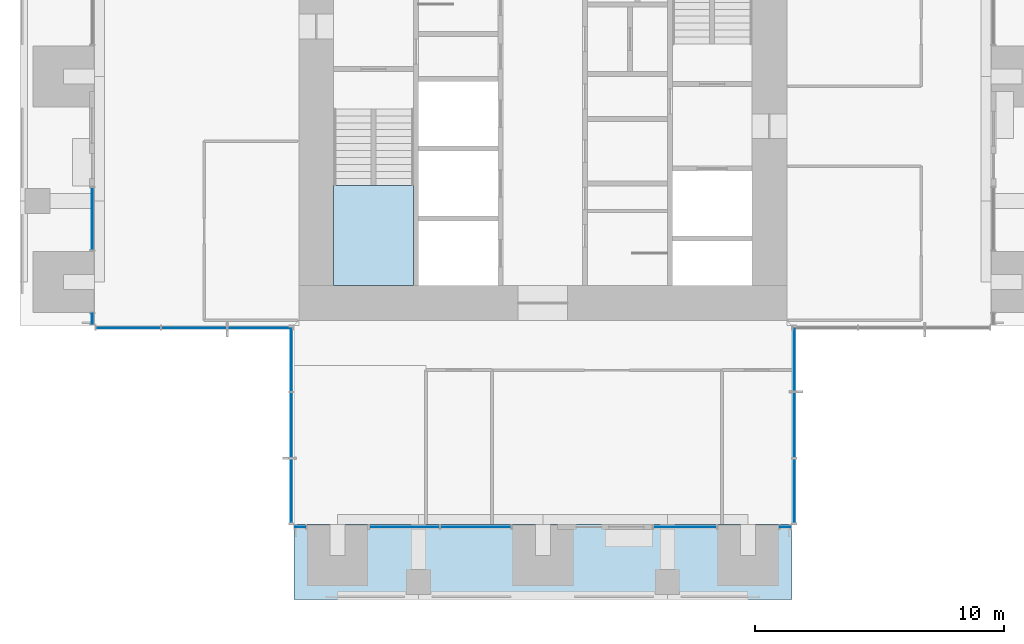
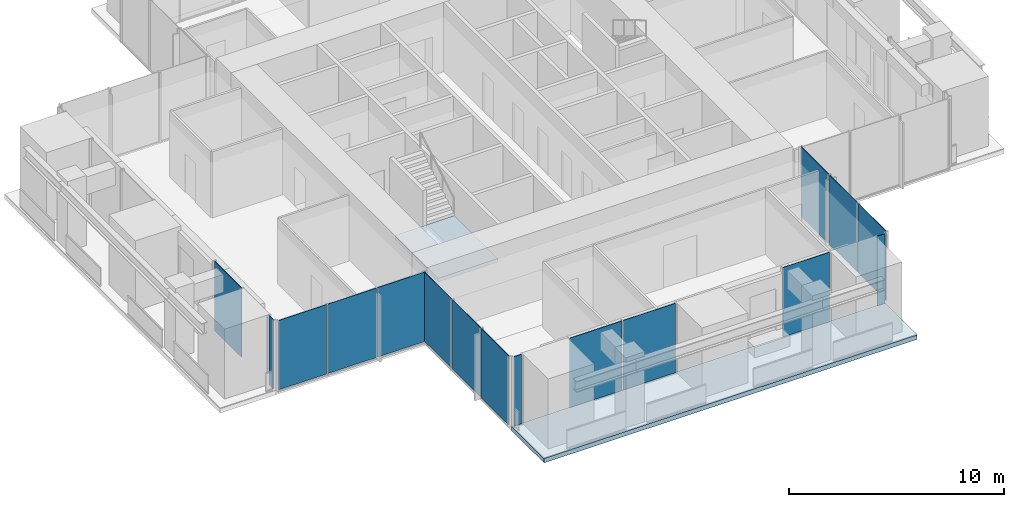
# One storey, part 7 of 17: 16 plates, 2 slabs, 10 elements without a shape of their own.
"""IFC4 building model written with IfcOpenShell, lengths in metres."""

import ifcopenshell
import ifcopenshell.guid

model = None  # the IFC model being written
_history = None  # IfcOwnerHistory: only IFC2X3 demands one
_inside = {}  # id of a spatial element -> (the spatial element, [elements in it])
_under = {}  # id of a project, library or spatial element -> (it, [spatial elements below it])
_declared = {}  # id of a project -> (the project, [libraries it declares])
_typed = {}  # id of a type object -> (the type object, [elements of that type])
_made_of = {}  # id of a material, layer set ... -> (it, [elements and type objects made of it])


def new_model(schema):
    """Start an empty IFC model of exactly this schema.

    Asked for "IFC4X3", IfcOpenShell would pick the latest addendum, in which some entities
    have other attributes; the version numbers below select the first issue.
    IFC2X3 requires an IfcOwnerHistory on every rooted entity: one is made here for all.
    """
    global model, _history
    if schema == "IFC4X3":
        model = ifcopenshell.file(schema_version=(4, 3, 0, 0))
    else:
        model = ifcopenshell.file(schema=schema)
    _inside.clear()
    _under.clear()
    _declared.clear()
    _typed.clear()
    _made_of.clear()
    _history = None
    if model.schema == "IFC2X3":
        org = make("IfcOrganization", Name="unknown")
        user = make(
            "IfcPersonAndOrganization",
            ThePerson=make("IfcPerson", FamilyName="unknown"),
            TheOrganization=org,
        )
        app = make(
            "IfcApplication",
            ApplicationDeveloper=org,
            Version="unknown",
            ApplicationFullName="unknown",
            ApplicationIdentifier="unknown",
        )
        _history = make(
            "IfcOwnerHistory",
            OwningUser=user,
            OwningApplication=app,
            ChangeAction="ADDED",
            CreationDate=0,
        )
    return model


def make(cls, **values):
    """One entity of the class cls with the attributes given. An attribute that is None is left unset."""
    return model.create_entity(
        cls, **{name: value for name, value in values.items() if value is not None}
    )


def rooted(cls, **values):
    """An entity with a GlobalId (a new one), such as an element, a storey or a relation."""
    return make(cls, GlobalId=ifcopenshell.guid.new(), OwnerHistory=_history, **values)


def si_unit(unit_type, name, prefix=None):
    """IfcSIUnit, for example si_unit("LENGTHUNIT", "METRE", prefix="MILLI")."""
    return make("IfcSIUnit", UnitType=unit_type, Prefix=prefix, Name=name)


def assignment(units):
    """IfcUnitAssignment: the units of a project."""
    return None if units is None else make("IfcUnitAssignment", Units=units)


def point(xyz):
    """IfcCartesianPoint."""
    return None if xyz is None else make("IfcCartesianPoint", Coordinates=xyz)


def direction(xyz):
    """IfcDirection."""
    return None if xyz is None else make("IfcDirection", DirectionRatios=xyz)


def frame(location, z_axis=None, x_axis=None):
    """IfcAxis2Placement3D, a coordinate frame: its origin and axes. An axis left out is left unset."""
    return make(
        "IfcAxis2Placement3D",
        Location=point(location),
        Axis=direction(z_axis),
        RefDirection=direction(x_axis),
    )


def frame_2d(location, x_axis=None):
    """IfcAxis2Placement2D, a coordinate frame in the plane: its origin and x axis."""
    return make(
        "IfcAxis2Placement2D", Location=point(location), RefDirection=direction(x_axis)
    )


def origin():
    """The frame at (0, 0, 0) with its axes left unset."""
    return frame((0.0, 0.0, 0.0))


def origin_2d():
    """The frame at (0, 0) in the plane with its x axis left unset."""
    return frame_2d((0.0, 0.0))


def place(relative_to, where):
    """IfcLocalPlacement: puts the frame where relative to a parent placement (None: the world)."""
    return make(
        "IfcLocalPlacement", PlacementRelTo=relative_to, RelativePlacement=where
    )


def context(
    kind, dimensions, precision=None, world=None, true_north=None, identifier=None
):
    """IfcGeometricRepresentationContext, for example the 3D "Model" context."""
    return make(
        "IfcGeometricRepresentationContext",
        ContextIdentifier=identifier,
        ContextType=kind,
        CoordinateSpaceDimension=dimensions,
        Precision=precision,
        WorldCoordinateSystem=world,
        TrueNorth=true_north,
    )


def subcontext(parent, identifier, kind, view, scale=None):
    """IfcGeometricRepresentationSubContext, for example "Body" below "Model"."""
    return make(
        "IfcGeometricRepresentationSubContext",
        ContextIdentifier=identifier,
        ContextType=kind,
        ParentContext=parent,
        TargetScale=scale,
        TargetView=view,
    )


def project(units=None, contexts=None):
    """IfcProject with its units and contexts."""
    return rooted(
        "IfcProject",
        Name="project",
        RepresentationContexts=contexts,
        UnitsInContext=assignment(units),
    )


def spatial(cls, under=None, at=None, **own):
    """A site, building, storey or space (cls), placed at a placement, below another one or the project."""
    s = rooted(cls, ObjectPlacement=at, **own)
    if under is not None:
        _under.setdefault(under.id(), (under, []))[1].append(s)
    return s


def polyline(points):
    """IfcPolyline through the points."""
    return make("IfcPolyline", Points=[point(p) for p in points])


def profile(cls, at=None, kind="AREA", **sizes):
    """A parametric profile (cls). Its sizes go by their IFC names, for example OverallWidth=200.0."""
    return make(cls, ProfileType=kind, Position=at, **sizes)


def rectangle(**sizes):
    """IfcRectangleProfileDef."""
    return profile("IfcRectangleProfileDef", **sizes)


def outline(outer, holes=None, kind="AREA"):
    """IfcArbitraryClosedProfileDef: a profile drawn as a closed curve; with holes, ...WithVoids."""
    if holes is None:
        return make("IfcArbitraryClosedProfileDef", ProfileType=kind, OuterCurve=outer)
    return make(
        "IfcArbitraryProfileDefWithVoids",
        ProfileType=kind,
        OuterCurve=outer,
        InnerCurves=holes,
    )


def extrude(swept, where, along, depth):
    """IfcExtrudedAreaSolid: the profile swept, set in the frame where, extruded along a direction by depth."""
    return make(
        "IfcExtrudedAreaSolid",
        SweptArea=swept,
        Position=where,
        ExtrudedDirection=direction(along),
        Depth=depth,
    )


def shape(context_of_items, identifier, shape_type, items):
    """IfcShapeRepresentation: the items that make up one representation, for example the "Body"."""
    return make(
        "IfcShapeRepresentation",
        ContextOfItems=context_of_items,
        RepresentationIdentifier=identifier,
        RepresentationType=shape_type,
        Items=items,
    )


def material(Name=None, Category=None):
    """IfcMaterial."""
    return make("IfcMaterial", Name=Name, Category=Category)


def layer(
    of_material, thickness, ventilated=None, Name=None, Category=None, Priority=None
):
    """IfcMaterialLayer: one layer of a wall or slab, of a material (None: an air gap)."""
    return make(
        "IfcMaterialLayer",
        Material=of_material,
        LayerThickness=thickness,
        IsVentilated=ventilated,
        Name=Name,
        Category=Category,
        Priority=Priority,
    )


def layer_set(layers, Name=None):
    """IfcMaterialLayerSet."""
    return make("IfcMaterialLayerSet", MaterialLayers=layers, LayerSetName=Name)


def made_of(thing, what):
    """Note that an element or type object is made of a material, layer set ...; save() writes the relation."""
    if what is not None:
        _made_of.setdefault(what.id(), (what, []))[1].append(thing)
    return thing


def type_object(cls, material=None, **own):
    """A type object (cls), such as IfcWallType, which elements share."""
    return made_of(rooted(cls, **own), material)


def element(
    cls,
    number,
    at=None,
    inside=None,
    cuts=None,
    type_object=None,
    material=None,
    context=None,
    identifier="Body",
    shape_type=None,
    held_by="IfcProductDefinitionShape",
    body=None,
    shapes=None,
    **own,
):
    """One element of the class cls, such as IfcWall. Its Tag is "e" and its number.

    at: its placement. inside: the storey or other place that contains it. cuts: it is an
    opening in that element (IfcRelVoidsElement). A single representation is given by context,
    identifier, shape_type and body (its items); several are given by shapes. held_by: the class
    of the entity that holds the representations. save() writes the other relations.
    """
    e = rooted(cls, Tag="e%d" % number, ObjectPlacement=at, **own)
    if body is not None:
        shapes = [shape(context, identifier, shape_type, body)]
    if shapes is not None:
        e.Representation = make(held_by, Representations=shapes)
    if inside is not None:
        _inside.setdefault(inside.id(), (inside, []))[1].append(e)
    if cuts is not None:
        rooted(
            "IfcRelVoidsElement", RelatingBuildingElement=cuts, RelatedOpeningElement=e
        )
    if type_object is not None:
        _typed.setdefault(type_object.id(), (type_object, []))[1].append(e)
    return made_of(e, material)


def aggregate(whole, parts):
    """IfcRelAggregates: a whole, such as a stair, and the parts it consists of."""
    return rooted("IfcRelAggregates", RelatingObject=whole, RelatedObjects=parts)


def save(model, path):
    """Write the relations noted so far, then the file.

    IfcRelAggregates (storeys below a building ...), IfcRelContainedInSpatialStructure (elements
    in a storey), IfcRelDefinesByType, IfcRelAssociatesMaterial and IfcRelDeclares: one each for
    every whole, place, type object, material and project.
    """
    for whole, parts in _under.values():
        aggregate(whole, parts)
    for where, things in _inside.values():
        rooted(
            "IfcRelContainedInSpatialStructure",
            RelatedElements=things,
            RelatingStructure=where,
        )
    for kind, things in _typed.values():
        rooted("IfcRelDefinesByType", RelatedObjects=things, RelatingType=kind)
    for what, things in _made_of.values():
        rooted("IfcRelAssociatesMaterial", RelatedObjects=things, RelatingMaterial=what)
    for by, libraries in _declared.values():
        rooted("IfcRelDeclares", RelatingContext=by, RelatedDefinitions=libraries)
    model.write(path)


model = new_model("IFC4")

# Units and contexts
model_context = context("Model", 3, precision=1e-05, world=origin(), true_north=direction((0.0, 1.0)))
body_context = subcontext(model_context, "Body", "Model", "MODEL_VIEW")
ifc_project = project(units=[si_unit("LENGTHUNIT", "METRE"), si_unit("AREAUNIT", "SQUARE_METRE"), si_unit("VOLUMEUNIT", "CUBIC_METRE"), si_unit("PLANEANGLEUNIT", "RADIAN"), si_unit("MASSUNIT", "GRAM", prefix="KILO")], contexts=[model_context])

# Site, building, storey
site_placement = place(None, origin())
site = spatial("IfcSite", under=ifc_project, at=site_placement, CompositionType="ELEMENT")
building_placement = place(site_placement, origin())
building = spatial("IfcBuilding", under=site, at=building_placement, Name="Svetlomir Tower", CompositionType="ELEMENT")
storey_placement = place(building_placement, frame((0.0, 0.0, 170.5)))
storey = spatial("IfcBuildingStorey", under=building, at=storey_placement, Name="L40", CompositionType="ELEMENT", Elevation=170.5)

# Curtain wall, plate
ifc_material_1 = material(Name="Bronze anodised aluminium curtain wall", Category="aluminium")
curtain_wall_type = type_object("IfcCurtainWallType", Name="CURTAIN WALL CW1 TOWER OFFICE", PredefinedType="NOTDEFINED", material=ifc_material_1)
curtain_wall_1_placement = place(storey_placement, origin())
curtain_wall_1 = element("IfcCurtainWall", 1, at=curtain_wall_1_placement, inside=storey, type_object=curtain_wall_type, Name="Curtain wall CW1 L40", PredefinedType="NOTDEFINED")
ifc_material_2 = material(Name="Tinted double glazed unit", Category="glass")
ifc_layer_1 = layer(ifc_material_2, 0.031982421875)
ifc_layer_set_1 = layer_set([ifc_layer_1], Name="Tinted double glazed unit")
plate_type = type_object("IfcPlateType", Name="CW1 GLAZED PANEL 32", PredefinedType="CURTAIN_PANEL", material=ifc_layer_set_1)
plate_1_placement = place(storey_placement, frame((11.262451171875, 2.89990234375, 0.06494140625), z_axis=(0.0, 0.0, 1.0), x_axis=(1.0, 0.0, 0.0)))
plate_1 = element("IfcPlate", 2, at=plate_1_placement, type_object=plate_type, Name="CW1 panel 1.1", PredefinedType="CURTAIN_PANEL", context=body_context, shape_type="SweptSolid", body=[
    extrude(rectangle(XDim=0.39501953125, YDim=0.031982421875, at=origin_2d()), origin(), (0.0, 0.0, 1.0), 3.93505859375),
])
aggregate(curtain_wall_1, [plate_1])

# Curtain wall, plates
curtain_wall_2_placement = place(storey_placement, origin())
curtain_wall_2 = element("IfcCurtainWall", 3, at=curtain_wall_2_placement, inside=storey, type_object=curtain_wall_type, Name="Curtain wall CW1 L40", PredefinedType="NOTDEFINED")
plate_2_placement = place(storey_placement, frame((15.441162109375, 2.89990234375, 0.06494140625), z_axis=(0.0, 0.0, 1.0), x_axis=(1.0, 0.0, 0.0)))
plate_2 = element("IfcPlate", 4, at=plate_2_placement, type_object=plate_type, Name="CW1 panel 1.1", PredefinedType="CURTAIN_PANEL", context=body_context, shape_type="SweptSolid", body=[
    extrude(rectangle(XDim=2.802490234375, YDim=0.031982421875, at=origin_2d()), origin(), (0.0, 0.0, 1.0), 3.93505859375),
])
plate_3_placement = place(storey_placement, frame((18.308837890625, 2.89990234375, 0.06494140625), z_axis=(0.0, 0.0, 1.0), x_axis=(1.0, 0.0, 0.0)))
plate_3 = element("IfcPlate", 5, at=plate_3_placement, type_object=plate_type, Name="CW1 panel 2.1", PredefinedType="CURTAIN_PANEL", context=body_context, shape_type="SweptSolid", body=[
    extrude(rectangle(XDim=2.802490234375, YDim=0.031982421875, at=origin_2d()), origin(), (0.0, 0.0, 1.0), 3.93505859375),
])
aggregate(curtain_wall_2, [plate_2, plate_3])

# Curtain wall, plate
curtain_wall_3_placement = place(storey_placement, origin())
curtain_wall_3 = element("IfcCurtainWall", 6, at=curtain_wall_3_placement, inside=storey, type_object=curtain_wall_type, Name="Curtain wall CW1 L40", PredefinedType="NOTDEFINED")
plate_4_placement = place(storey_placement, frame((26.71240234375, 2.89990234375, 0.06494140625), z_axis=(0.0, 0.0, 1.0), x_axis=(1.0, 0.0, 0.0)))
plate_4 = element("IfcPlate", 7, at=plate_4_placement, type_object=plate_type, Name="CW1 panel 1.1", PredefinedType="CURTAIN_PANEL", context=body_context, shape_type="SweptSolid", body=[
    extrude(rectangle(XDim=2.4951171875, YDim=0.031982421875, at=origin_2d()), origin(), (0.0, 0.0, 1.0), 3.93505859375),
])
aggregate(curtain_wall_3, [plate_4])

curtain_wall_4_placement = place(storey_placement, origin())
curtain_wall_4 = element("IfcCurtainWall", 8, at=curtain_wall_4_placement, inside=storey, type_object=curtain_wall_type, Name="Curtain wall CW1 L40", PredefinedType="NOTDEFINED")
plate_5_placement = place(storey_placement, frame((30.737548828125, 2.89990234375, 0.06494140625), z_axis=(0.0, 0.0, 1.0), x_axis=(1.0, 0.0, 0.0)))
plate_5 = element("IfcPlate", 9, at=plate_5_placement, type_object=plate_type, Name="CW1 panel 1.1", PredefinedType="CURTAIN_PANEL", context=body_context, shape_type="SweptSolid", body=[
    extrude(rectangle(XDim=0.39501953125, YDim=0.031982421875, at=origin_2d()), origin(), (0.0, 0.0, 1.0), 3.93505859375),
])
aggregate(curtain_wall_4, [plate_5])

# Curtain wall, plates
curtain_wall_5_placement = place(storey_placement, origin())
curtain_wall_5 = element("IfcCurtainWall", 10, at=curtain_wall_5_placement, inside=storey, type_object=curtain_wall_type, Name="Curtain wall CW1 L40", PredefinedType="NOTDEFINED")
plate_6_placement = place(storey_placement, frame((31.10009765625, 4.349609375, 0.06494140625), z_axis=(0.0, 0.0, 1.0), x_axis=(0.0, 1.0, 0.0)))
plate_6 = element("IfcPlate", 11, at=plate_6_placement, type_object=plate_type, Name="CW1 panel 1.1", PredefinedType="CURTAIN_PANEL", context=body_context, shape_type="SweptSolid", body=[
    extrude(rectangle(XDim=2.569091796875, YDim=0.031982421875, at=origin_2d()), origin(), (0.0, 0.0, 1.0), 3.93505859375),
])
plate_7_placement = place(storey_placement, frame((31.10009765625, 7.0, 0.06494140625), z_axis=(0.0, 0.0, 1.0), x_axis=(0.0, 1.0, 0.0)))
plate_7 = element("IfcPlate", 12, at=plate_7_placement, type_object=plate_type, Name="CW1 panel 2.1", PredefinedType="CURTAIN_PANEL", context=body_context, shape_type="SweptSolid", body=[
    extrude(rectangle(XDim=2.6015625, YDim=0.031982421875, at=origin_2d()), origin(), (0.0, 0.0, 1.0), 3.93505859375),
])
plate_8_placement = place(storey_placement, frame((31.10009765625, 9.650390625, 0.06494140625), z_axis=(0.0, 0.0, 1.0), x_axis=(0.0, 1.0, 0.0)))
plate_8 = element("IfcPlate", 13, at=plate_8_placement, type_object=plate_type, Name="CW1 panel 3.1", PredefinedType="CURTAIN_PANEL", context=body_context, shape_type="SweptSolid", body=[
    extrude(rectangle(XDim=2.569091796875, YDim=0.031982421875, at=origin_2d()), origin(), (0.0, 0.0, 1.0), 3.93505859375),
])
aggregate(curtain_wall_5, [plate_6, plate_7, plate_8])

# Curtain wall, plate
curtain_wall_6_placement = place(storey_placement, origin())
curtain_wall_6 = element("IfcCurtainWall", 14, at=curtain_wall_6_placement, inside=storey, type_object=curtain_wall_type, Name="Curtain wall CW1 L40", PredefinedType="NOTDEFINED")
plate_9_placement = place(storey_placement, frame((2.89990234375, 15.28759765625, 0.06494140625), z_axis=(0.0, 0.0, 1.0), x_axis=(0.0, -1.0, 0.0)))
plate_9 = element("IfcPlate", 15, at=plate_9_placement, type_object=plate_type, Name="CW1 panel 1.1", PredefinedType="CURTAIN_PANEL", context=body_context, shape_type="SweptSolid", body=[
    extrude(rectangle(XDim=2.4951171875, YDim=0.031982421875, at=origin_2d()), origin(), (0.0, 0.0, 1.0), 3.93505859375),
])
aggregate(curtain_wall_6, [plate_9])

curtain_wall_7_placement = place(storey_placement, origin())
curtain_wall_7 = element("IfcCurtainWall", 16, at=curtain_wall_7_placement, inside=storey, type_object=curtain_wall_type, Name="Curtain wall CW1 L40", PredefinedType="NOTDEFINED")
plate_10_placement = place(storey_placement, frame((2.89990234375, 11.262451171875, 0.06494140625), z_axis=(0.0, 0.0, 1.0), x_axis=(0.0, -1.0, 0.0)))
plate_10 = element("IfcPlate", 17, at=plate_10_placement, type_object=plate_type, Name="CW1 panel 1.1", PredefinedType="CURTAIN_PANEL", context=body_context, shape_type="SweptSolid", body=[
    extrude(rectangle(XDim=0.39501953125, YDim=0.031982421875, at=origin_2d()), origin(), (0.0, 0.0, 1.0), 3.93505859375),
])
aggregate(curtain_wall_7, [plate_10])

# Curtain wall, plates
curtain_wall_8_placement = place(storey_placement, origin())
curtain_wall_8 = element("IfcCurtainWall", 18, at=curtain_wall_8_placement, inside=storey, type_object=curtain_wall_type, Name="Curtain wall CW1 L40", PredefinedType="NOTDEFINED")
plate_11_placement = place(storey_placement, frame((4.349609375, 10.89990234375, 0.06494140625), z_axis=(0.0, 0.0, 1.0), x_axis=(1.0, 0.0, 0.0)))
plate_11 = element("IfcPlate", 19, at=plate_11_placement, type_object=plate_type, Name="CW1 panel 1.1", PredefinedType="CURTAIN_PANEL", context=body_context, shape_type="SweptSolid", body=[
    extrude(rectangle(XDim=2.569091796875, YDim=0.031982421875, at=origin_2d()), origin(), (0.0, 0.0, 1.0), 3.93505859375),
])
plate_12_placement = place(storey_placement, frame((7.0, 10.89990234375, 0.06494140625), z_axis=(0.0, 0.0, 1.0), x_axis=(1.0, 0.0, 0.0)))
plate_12 = element("IfcPlate", 20, at=plate_12_placement, type_object=plate_type, Name="CW1 panel 2.1", PredefinedType="CURTAIN_PANEL", context=body_context, shape_type="SweptSolid", body=[
    extrude(rectangle(XDim=2.6015625, YDim=0.031982421875, at=origin_2d()), origin(), (0.0, 0.0, 1.0), 3.93505859375),
])
plate_13_placement = place(storey_placement, frame((9.650390625, 10.89990234375, 0.06494140625), z_axis=(0.0, 0.0, 1.0), x_axis=(1.0, 0.0, 0.0)))
plate_13 = element("IfcPlate", 21, at=plate_13_placement, type_object=plate_type, Name="CW1 panel 3.1", PredefinedType="CURTAIN_PANEL", context=body_context, shape_type="SweptSolid", body=[
    extrude(rectangle(XDim=2.569091796875, YDim=0.031982421875, at=origin_2d()), origin(), (0.0, 0.0, 1.0), 3.93505859375),
])
aggregate(curtain_wall_8, [plate_11, plate_12, plate_13])

curtain_wall_9_placement = place(storey_placement, origin())
curtain_wall_9 = element("IfcCurtainWall", 22, at=curtain_wall_9_placement, inside=storey, type_object=curtain_wall_type, Name="Curtain wall CW1 L40", PredefinedType="NOTDEFINED")
plate_14_placement = place(storey_placement, frame((10.89990234375, 9.650390625, 0.06494140625), z_axis=(0.0, 0.0, 1.0), x_axis=(0.0, -1.0, 0.0)))
plate_14 = element("IfcPlate", 23, at=plate_14_placement, type_object=plate_type, Name="CW1 panel 1.1", PredefinedType="CURTAIN_PANEL", context=body_context, shape_type="SweptSolid", body=[
    extrude(rectangle(XDim=2.569091796875, YDim=0.031982421875, at=origin_2d()), origin(), (0.0, 0.0, 1.0), 3.93505859375),
])
plate_15_placement = place(storey_placement, frame((10.89990234375, 7.0, 0.06494140625), z_axis=(0.0, 0.0, 1.0), x_axis=(0.0, -1.0, 0.0)))
plate_15 = element("IfcPlate", 24, at=plate_15_placement, type_object=plate_type, Name="CW1 panel 2.1", PredefinedType="CURTAIN_PANEL", context=body_context, shape_type="SweptSolid", body=[
    extrude(rectangle(XDim=2.6015625, YDim=0.031982421875, at=origin_2d()), origin(), (0.0, 0.0, 1.0), 3.93505859375),
])
plate_16_placement = place(storey_placement, frame((10.89990234375, 4.349609375, 0.06494140625), z_axis=(0.0, 0.0, 1.0), x_axis=(0.0, -1.0, 0.0)))
plate_16 = element("IfcPlate", 25, at=plate_16_placement, type_object=plate_type, Name="CW1 panel 3.1", PredefinedType="CURTAIN_PANEL", context=body_context, shape_type="SweptSolid", body=[
    extrude(rectangle(XDim=2.569091796875, YDim=0.031982421875, at=origin_2d()), origin(), (0.0, 0.0, 1.0), 3.93505859375),
])
aggregate(curtain_wall_9, [plate_14, plate_15, plate_16])

# Slab
ifc_material_3 = material(Name="Concrete C60/75", Category="concrete")
ifc_layer_2 = layer(ifc_material_3, 0.25)
ifc_layer_set_2 = layer_set([ifc_layer_2], Name="Concrete C60/75")
slab_type_1 = type_object("IfcSlabType", Name="PLANTED LOGGIA SLAB 250", PredefinedType="FLOOR", material=ifc_layer_set_2)
slab_1_placement = place(storey_placement, frame((0.0, 0.0, -0.25)))
element("IfcSlab", 26, at=slab_1_placement, inside=storey, type_object=slab_type_1, Name="L40 S planted loggia", PredefinedType="FLOOR", context=body_context, shape_type="SweptSolid", body=[
    extrude(outline(polyline([(11.0, 0.0), (31.0, 0.0), (31.0, 3.0), (11.0, 3.0), (11.0, 0.0)])), origin(), (0.0, 0.0, 1.0), 0.25),
])

# Stair, slab
ifc_material_4 = material(Name="Concrete C60/75", Category="concrete")
stair_type = type_object("IfcStairType", Name="EXIT STAIR 3200 RISE 4000", PredefinedType="HALF_TURN_STAIR", material=ifc_material_4)
stair_placement = place(storey_placement, origin())
stair = element("IfcStair", 27, at=stair_placement, inside=storey, type_object=stair_type, Name="Stair S1 L40 to L41", PredefinedType="HALF_TURN_STAIR")
ifc_material_5 = material(Name="Concrete C60/75", Category="concrete")
ifc_layer_3 = layer(ifc_material_5, 0.199951171875)
ifc_layer_set_3 = layer_set([ifc_layer_3], Name="Concrete C60/75")
slab_type_2 = type_object("IfcSlabType", Name="STAIR LANDING 200", PredefinedType="LANDING", material=ifc_layer_set_3)
slab_2_placement = place(storey_placement, frame((0.0, 0.0, 1.800048828125)))
slab_2 = element("IfcSlab", 28, at=slab_2_placement, type_object=slab_type_2, Name="S1 landing 1", PredefinedType="LANDING", context=body_context, shape_type="SweptSolid", body=[
    extrude(outline(polyline([(12.60009765625, 12.60009765625), (15.800048828125, 12.60009765625), (15.800048828125, 16.6201171875), (12.60009765625, 16.6201171875), (12.60009765625, 12.60009765625)])), origin(), (0.0, 0.0, 1.0), 0.199951171875),
])
aggregate(stair, [slab_2])

save(model, "model.ifc")
